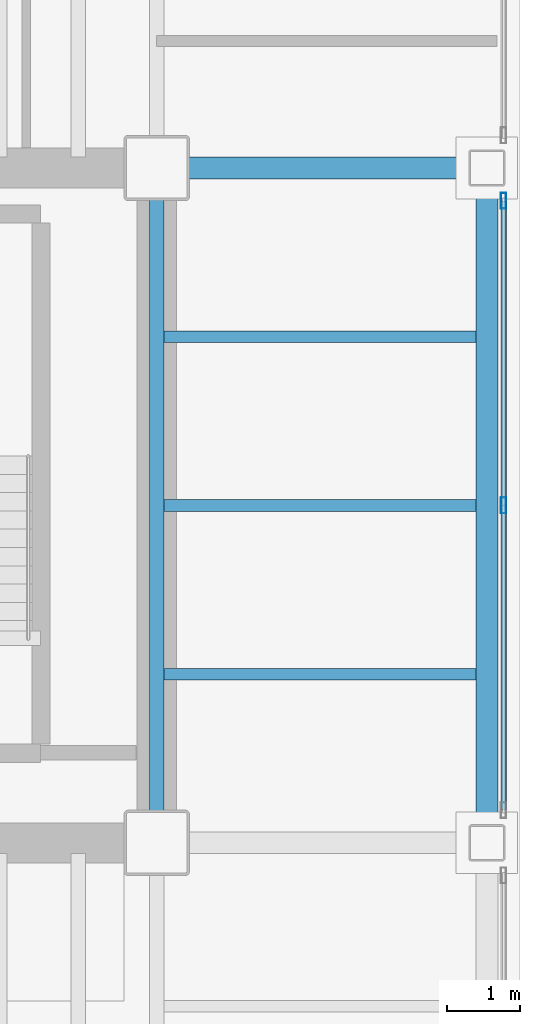
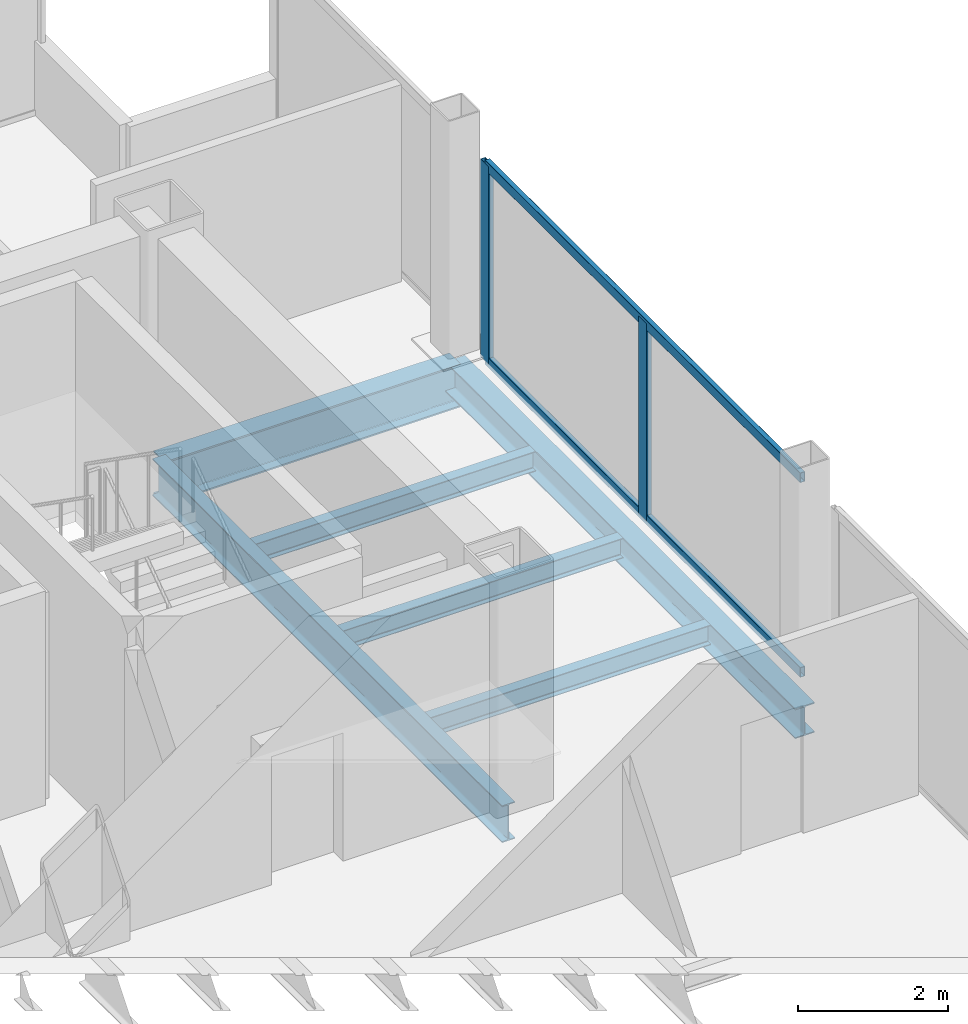
# One storey, part 13 of 19: 6 beams, 4 members, 1 element without a shape of its own.
"""IFC4 building model written with IfcOpenShell, lengths in metres."""

from ifc_helpers import new_model, si_unit, direction, frame, origin, origin_2d, place, context, subcontext, project, spatial, hollow_rectangle, i_section, extrude, material, material_profile, profile_set, type_object, element, aggregate, save


model = new_model("IFC4")

# Units and contexts
model_context = context("Model", 3, precision=1e-05, world=origin(), true_north=direction((0.0, 1.0)))
body_context = subcontext(model_context, "Body", "Model", "MODEL_VIEW")
ifc_project = project(units=[si_unit("LENGTHUNIT", "METRE"), si_unit("AREAUNIT", "SQUARE_METRE"), si_unit("VOLUMEUNIT", "CUBIC_METRE"), si_unit("PLANEANGLEUNIT", "RADIAN"), si_unit("MASSUNIT", "GRAM", prefix="KILO")], contexts=[model_context])

# Site, building, storey
site_placement = place(None, origin())
site = spatial("IfcSite", under=ifc_project, at=site_placement, CompositionType="ELEMENT")
building_placement = place(site_placement, origin())
building = spatial("IfcBuilding", under=site, at=building_placement, Name="Noeulbin Bourse Tower", CompositionType="ELEMENT")
storey_placement = place(building_placement, frame((0.0, 0.0, 146.10009765625)))
storey = spatial("IfcBuildingStorey", under=building, at=storey_placement, Name="L36", CompositionType="ELEMENT", Elevation=146.10009765625)

# Beams
ifc_material_1 = material(Name="Steel S355", Category="steel")
ifc_material_profile_1 = material_profile(ifc_material_1, i_section(OverallWidth=0.199951171875, OverallDepth=0.60009765625, WebThickness=0.010986328125, FlangeThickness=0.01708984375, FilletRadius=0.02197265625, at=origin_2d()), Name="H-600x200x11x17", Category="LoadBearing")
ifc_profile_set_1 = profile_set([ifc_material_profile_1], Name="Steel S355")
beam_type_1 = type_object("IfcBeamType", Name="BM-GRD-600", PredefinedType="USERDEFINED", material=ifc_profile_set_1)
beam_1_placement = place(storey_placement, frame((44.0, 29.0, -0.47998046875), z_axis=(0.0, 1.0, 0.0), x_axis=(-1.0, 0.0, 0.0)))
element("IfcBeam", 1, at=beam_1_placement, inside=storey, type_object=beam_type_1, Name="Tower Primary Girder NS L36-5.3", ObjectType="GIRDER", PredefinedType="USERDEFINED", context=body_context, shape_type="SweptSolid", body=[
    extrude(i_section(OverallWidth=0.199951171875, OverallDepth=0.60009765625, WebThickness=0.010986328125, FlangeThickness=0.01708984375, FilletRadius=0.02197265625, at=origin_2d()), origin(), (0.0, 0.0, 1.0), 9.300048828125),
])
ifc_material_profile_2 = material_profile(ifc_material_1, i_section(OverallWidth=0.300048828125, OverallDepth=0.699951171875, WebThickness=0.012939453125, FlangeThickness=0.02392578125, FilletRadius=0.02392578125, at=origin_2d()), Name="H-700x300x13x24", Category="LoadBearing")
ifc_profile_set_2 = profile_set([ifc_material_profile_2], Name="Steel S355")
beam_type_2 = type_object("IfcBeamType", Name="BM-GRD-700", PredefinedType="USERDEFINED", material=ifc_profile_set_2)
beam_2_placement = place(storey_placement, frame((44.0, 38.300048828125, -0.530029296875), z_axis=(1.0, 0.0, 0.0), x_axis=(0.0, 1.0, 0.0)))
element("IfcBeam", 2, at=beam_2_placement, inside=storey, type_object=beam_type_2, Name="Tower Primary Girder EW L36-3.5", ObjectType="GIRDER", PredefinedType="USERDEFINED", context=body_context, shape_type="SweptSolid", body=[
    extrude(i_section(OverallWidth=0.300048828125, OverallDepth=0.699951171875, WebThickness=0.012939453125, FlangeThickness=0.02392578125, FilletRadius=0.02392578125, at=origin_2d()), origin(), (0.0, 0.0, 1.0), 4.550048828125),
])
ifc_material_profile_3 = material_profile(ifc_material_1, i_section(OverallWidth=0.159912109375, OverallDepth=0.320068359375, WebThickness=0.006591796875, FlangeThickness=0.010009765625, FilletRadius=0.012939453125, at=origin_2d()), Name="H-320x160x6.5x10", Category="LoadBearing")
ifc_profile_set_3 = profile_set([ifc_material_profile_3], Name="Steel S355")
beam_type_3 = type_object("IfcBeamType", Name="BM-JST-320", PredefinedType="JOIST", material=ifc_profile_set_3)
for number, where, z_axis, x_axis, name in (
    (3, (44.10009765625, 31.324951171875, -0.340087890625), (1.0, 0.0, 0.0), (0.0, 1.0, 0.0), "Wing Composite Joist L36-E76"),
    (4, (44.10009765625, 33.64990234375, -0.340087890625), (1.0, 0.0, 0.0), (0.0, 1.0, 0.0), "Wing Composite Joist L36-E77"),
    (5, (44.10009765625, 35.97509765625, -0.340087890625), (1.0, 0.0, 0.0), (0.0, 1.0, 0.0), "Wing Composite Joist L36-E78"),
):
    element("IfcBeam", number, at=place(storey_placement, frame(where, z_axis=z_axis, x_axis=x_axis)), inside=storey, type_object=beam_type_3, Name=name, PredefinedType="JOIST", context=body_context, shape_type="SweptSolid", body=[
        extrude(i_section(OverallWidth=0.159912109375, OverallDepth=0.320068359375, WebThickness=0.006591796875, FlangeThickness=0.010009765625, FilletRadius=0.012939453125, at=origin_2d()), origin(), (0.0, 0.0, 1.0), 4.2998046875),
    ])
ifc_material_profile_4 = material_profile(ifc_material_1, i_section(OverallWidth=0.300048828125, OverallDepth=0.488037109375, WebThickness=0.010986328125, FlangeThickness=0.01806640625, FilletRadius=0.02197265625, at=origin_2d()), Name="H-488x300x11x18", Category="LoadBearing")
ifc_profile_set_4 = profile_set([ifc_material_profile_4], Name="Steel S355")
beam_type_4 = type_object("IfcBeamType", Name="BM-SPN-488", PredefinedType="SPANDREL", material=ifc_profile_set_4)
beam_3_placement = place(storey_placement, frame((48.550048828125, 29.0, -0.424072265625), z_axis=(0.0, 1.0, 0.0), x_axis=(-1.0, 0.0, 0.0)))
element("IfcBeam", 6, at=beam_3_placement, inside=storey, type_object=beam_type_4, Name="East Spandrel L36-2", PredefinedType="SPANDREL", context=body_context, shape_type="SweptSolid", body=[
    extrude(i_section(OverallWidth=0.300048828125, OverallDepth=0.488037109375, WebThickness=0.010986328125, FlangeThickness=0.01806640625, FilletRadius=0.02197265625, at=origin_2d()), origin(), (0.0, 0.0, 1.0), 9.300048828125),
])

# Curtain wall, members
ifc_material_2 = material(Name="Dark Tinted Triple Glazing", Category="glass")
curtain_wall_type = type_object("IfcCurtainWallType", Name="CW-SYS-3", PredefinedType="NOTDEFINED", material=ifc_material_2)
curtain_wall_placement = place(storey_placement, origin())
curtain_wall = element("IfcCurtainWall", 7, at=curtain_wall_placement, inside=storey, type_object=curtain_wall_type, Name="Unitised Curtain Wall CW-L36-E-S2", PredefinedType="NOTDEFINED")
ifc_material_3 = material(Name="Anodised Aluminium 6063-T6", Category="aluminium")
ifc_material_profile_5 = material_profile(ifc_material_3, hollow_rectangle(XDim=0.074951171875, YDim=0.219970703125, WallThickness=0.0048828125, InnerFilletRadius=0.00244140625, OuterFilletRadius=0.0048828125, at=origin_2d()), Name="ALU-MULL-75x220x5", Category="LoadBearing")
ifc_profile_set_5 = profile_set([ifc_material_profile_5], Name="Anodised Aluminium 6063-T6")
member_type_1 = type_object("IfcMemberType", Name="CW-SYS-3-MUL", PredefinedType="MULLION", material=ifc_profile_set_5)
member_1_placement = place(storey_placement, frame((48.780029296875, 33.64990234375, -0.02001953125), z_axis=(0.0, 0.0, 1.0), x_axis=(1.0, 0.0, 0.0)))
member_1 = element("IfcMember", 8, at=member_1_placement, type_object=member_type_1, Name="Curtain Wall Mullion CW-L36-E-S2-M01", PredefinedType="MULLION", context=body_context, shape_type="SweptSolid", body=[
    extrude(hollow_rectangle(XDim=0.074951171875, YDim=0.219970703125, WallThickness=0.0048828125, InnerFilletRadius=0.00244140625, OuterFilletRadius=0.0048828125, at=origin_2d()), origin(), (0.0, 0.0, 1.0), 3.219970703125),
])
member_2_placement = place(storey_placement, frame((48.780029296875, 37.85009765625, -0.02001953125), z_axis=(0.0, 0.0, 1.0), x_axis=(1.0, 0.0, 0.0)))
member_2 = element("IfcMember", 9, at=member_2_placement, type_object=member_type_1, Name="Curtain Wall Mullion CW-L36-E-S2-M02", PredefinedType="MULLION", context=body_context, shape_type="SweptSolid", body=[
    extrude(hollow_rectangle(XDim=0.074951171875, YDim=0.219970703125, WallThickness=0.0048828125, InnerFilletRadius=0.00244140625, OuterFilletRadius=0.0048828125, at=origin_2d()), origin(), (0.0, 0.0, 1.0), 3.219970703125),
])
ifc_material_profile_6 = material_profile(ifc_material_3, hollow_rectangle(XDim=0.074951171875, YDim=0.159912109375, WallThickness=0.0048828125, InnerFilletRadius=0.00244140625, OuterFilletRadius=0.0048828125, at=origin_2d()), Name="ALU-TRAN-75x160x5", Category="LoadBearing")
ifc_profile_set_6 = profile_set([ifc_material_profile_6], Name="Anodised Aluminium 6063-T6")
member_type_2 = type_object("IfcMemberType", Name="CW-SYS-3-TRN", PredefinedType="USERDEFINED", material=ifc_profile_set_6)
member_3_placement = place(storey_placement, frame((48.780029296875, 29.4599609375, 0.010009765625), z_axis=(0.0, 1.0, 0.0), x_axis=(-1.0, 0.0, 0.0)))
member_3 = element("IfcMember", 10, at=member_3_placement, type_object=member_type_2, Name="Curtain Wall Transom CW-L36-E-S2-T00", ObjectType="TRANSOM", PredefinedType="USERDEFINED", context=body_context, shape_type="SweptSolid", body=[
    extrude(hollow_rectangle(XDim=0.074951171875, YDim=0.159912109375, WallThickness=0.0048828125, InnerFilletRadius=0.00244140625, OuterFilletRadius=0.0048828125, at=origin_2d()), origin(), (0.0, 0.0, 1.0), 8.380126953125),
])
member_4_placement = place(storey_placement, frame((48.780029296875, 29.4599609375, 3.169921875), z_axis=(0.0, 1.0, 0.0), x_axis=(-1.0, 0.0, 0.0)))
member_4 = element("IfcMember", 11, at=member_4_placement, type_object=member_type_2, Name="Curtain Wall Transom CW-L36-E-S2-T01", ObjectType="TRANSOM", PredefinedType="USERDEFINED", context=body_context, shape_type="SweptSolid", body=[
    extrude(hollow_rectangle(XDim=0.074951171875, YDim=0.159912109375, WallThickness=0.0048828125, InnerFilletRadius=0.00244140625, OuterFilletRadius=0.0048828125, at=origin_2d()), origin(), (0.0, 0.0, 1.0), 8.380126953125),
])
aggregate(curtain_wall, [member_1, member_2, member_3, member_4])

save(model, "model.ifc")
